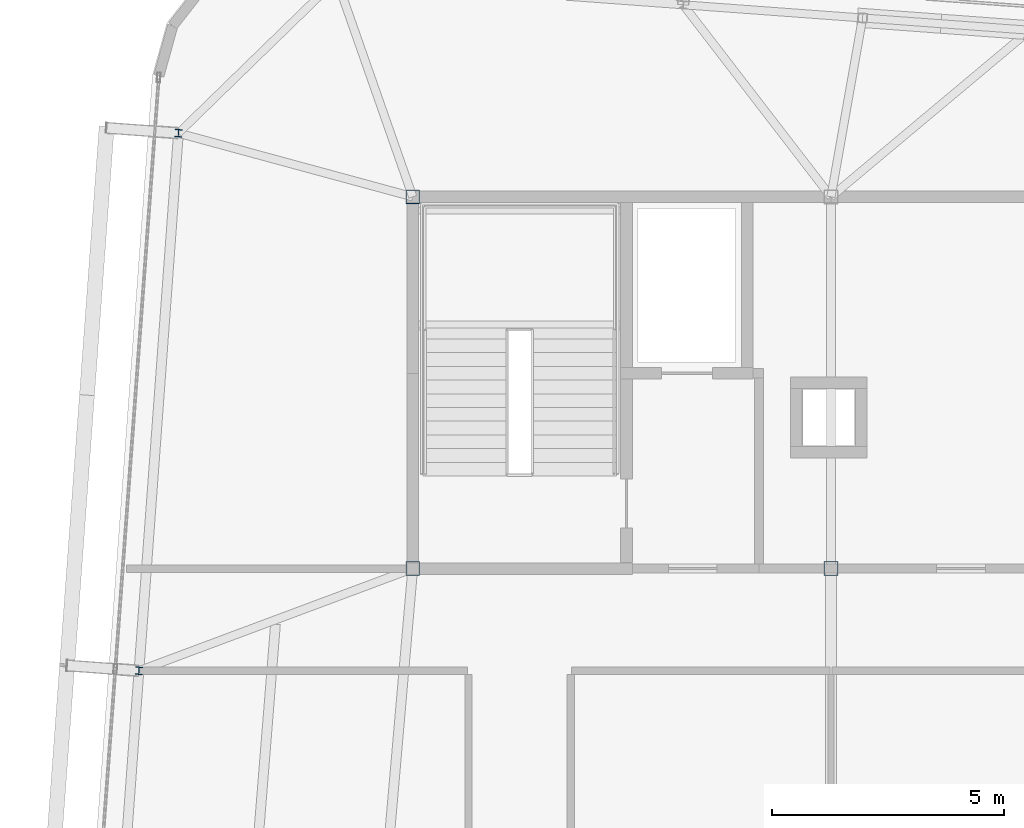
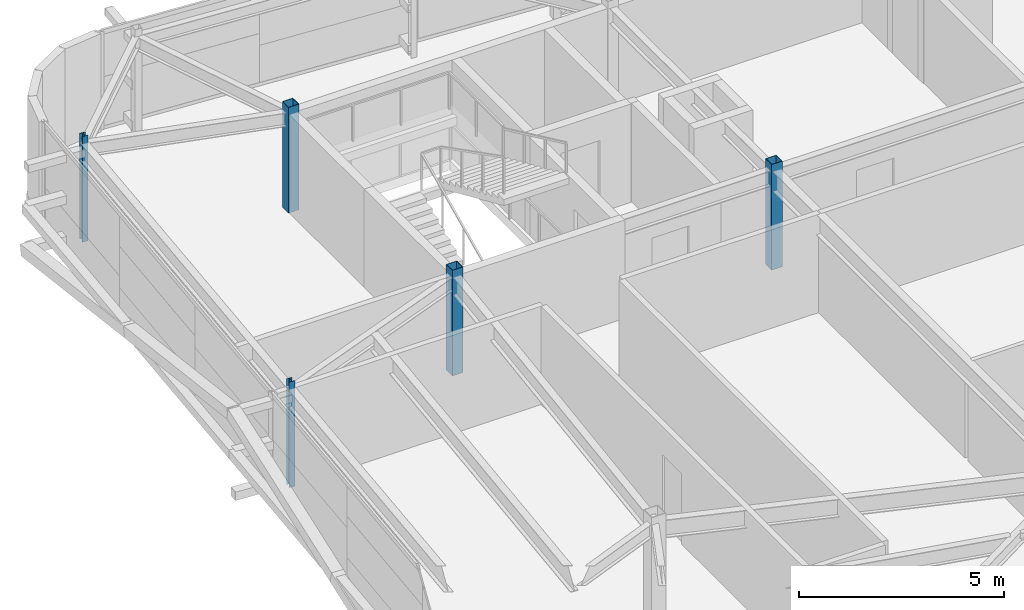
# One storey, part 3 of 35: 5 columns.
"""IFC4 building model written with IfcOpenShell, lengths in metres."""

from ifc_helpers import new_model, si_unit, direction, frame, origin, origin_2d, place, context, subcontext, project, spatial, hollow_rectangle, i_section, extrude, source, transform, mapped, material, material_profile, profile_set, type_object, element, save


model = new_model("IFC4")

# Units and contexts
model_context = context("Model", 3, precision=1e-05, world=origin(), true_north=direction((0.0, 1.0)))
body_context = subcontext(model_context, "Body", "Model", "MODEL_VIEW")
ifc_project = project(units=[si_unit("LENGTHUNIT", "METRE"), si_unit("AREAUNIT", "SQUARE_METRE"), si_unit("VOLUMEUNIT", "CUBIC_METRE"), si_unit("PLANEANGLEUNIT", "RADIAN"), si_unit("MASSUNIT", "GRAM", prefix="KILO")], contexts=[model_context])

# Site, building, storey
site_placement = place(None, origin())
site = spatial("IfcSite", under=ifc_project, at=site_placement, CompositionType="ELEMENT")
building_placement = place(site_placement, origin())
building = spatial("IfcBuilding", under=site, at=building_placement, Name="Taldren Reach Tower", CompositionType="ELEMENT")
storey_placement = place(building_placement, frame((0.0, 0.0, 236.60009765625)))
storey = spatial("IfcBuildingStorey", under=building, at=storey_placement, Name="L72", CompositionType="ELEMENT", Elevation=236.60009765625)

# Columns
ifc_material_1 = material(Name="Steel Gr 450 (C450L0)", Category="steel")
ifc_material_profile_1 = material_profile(ifc_material_1, hollow_rectangle(XDim=0.300048828125, YDim=0.300048828125, WallThickness=0.012451171875, at=origin_2d()), Name="300x300x12.5SHS")
ifc_profile_set_1 = profile_set([ifc_material_profile_1], Name="Steel Gr 450 (C450L0)")
column_type_1 = type_object("IfcColumnType", Name="COL-SHS300", PredefinedType="COLUMN", material=ifc_profile_set_1)
shared_shape_1 = source(origin(), body_context, "Body", "SweptSolid", [
    extrude(hollow_rectangle(XDim=0.300048828125, YDim=0.300048828125, WallThickness=0.012451171875, at=origin_2d()), origin(), (0.0, 0.0, 1.0), 3.14990234375),
])
for number, where, z_axis, x_axis, name in (
    (1, (19.0, 24.0, 0.0), (0.0, 0.0, 1.0), (1.0, 0.0, 0.0), "Mega column MC-C1 L72"),
    (2, (28.0, 24.0, 0.0), (0.0, 0.0, 1.0), (1.0, 0.0, 0.0), "Mega column MC-C2 L72"),
    (3, (19.0, 32.0, 0.0), (0.0, 0.0, 1.0), (1.0, 0.0, 0.0), "Mega column MC-C5 L72"),
):
    element("IfcColumn", number, at=place(storey_placement, frame(where, z_axis=z_axis, x_axis=x_axis)), inside=storey, type_object=column_type_1, Name=name, PredefinedType="COLUMN", context=body_context, shape_type="MappedRepresentation", body=[
        mapped(shared_shape_1, transform((0.0, 0.0, 0.0), scale=1.0)),
    ])
ifc_material_2 = material(Name="Steel Gr 350 (350PLUS)", Category="steel")
ifc_material_profile_2 = material_profile(ifc_material_2, i_section(OverallWidth=0.154052734375, OverallDepth=0.162109375, WebThickness=0.008056640625, FlangeThickness=0.011474609375, at=origin_2d()), Name="150UC37.2")
ifc_profile_set_2 = profile_set([ifc_material_profile_2], Name="Steel Gr 350 (350PLUS)")
column_type_2 = type_object("IfcColumnType", Name="COL-UC150", PredefinedType="COLUMN", material=ifc_profile_set_2)
shared_shape_2 = source(origin(), body_context, "Body", "SweptSolid", [
    extrude(i_section(OverallWidth=0.154052734375, OverallDepth=0.162109375, WebThickness=0.008056640625, FlangeThickness=0.011474609375, at=origin_2d()), origin(), (0.0, 0.0, 1.0), 3.14990234375),
])
for number, where, z_axis, x_axis, name in (
    (4, (13.108642578125, 21.80029296875, 0.0), (0.0, 0.0, 1.0), (0.997314477224, -0.073238197128, 0.0), "Block B5 perimeter column W2 L72"),
    (5, (13.958251953125, 33.369140625, 0.0), (0.0, 0.0, 1.0), (0.997314477224, -0.073238197128, 0.0), "Block B5 perimeter column W3 L72"),
):
    element("IfcColumn", number, at=place(storey_placement, frame(where, z_axis=z_axis, x_axis=x_axis)), inside=storey, type_object=column_type_2, Name=name, PredefinedType="COLUMN", context=body_context, shape_type="MappedRepresentation", body=[
        mapped(shared_shape_2, transform((0.0, 0.0, 0.0), scale=1.0)),
    ])

save(model, "model.ifc")
